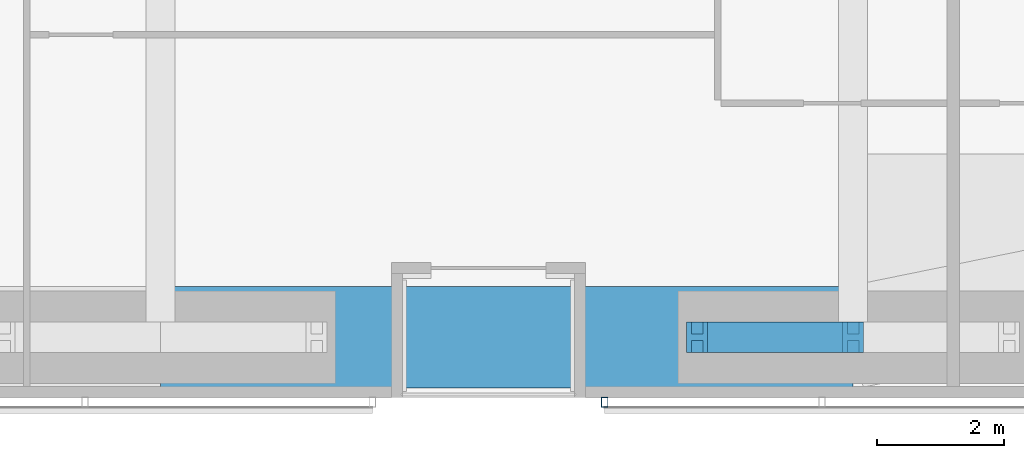
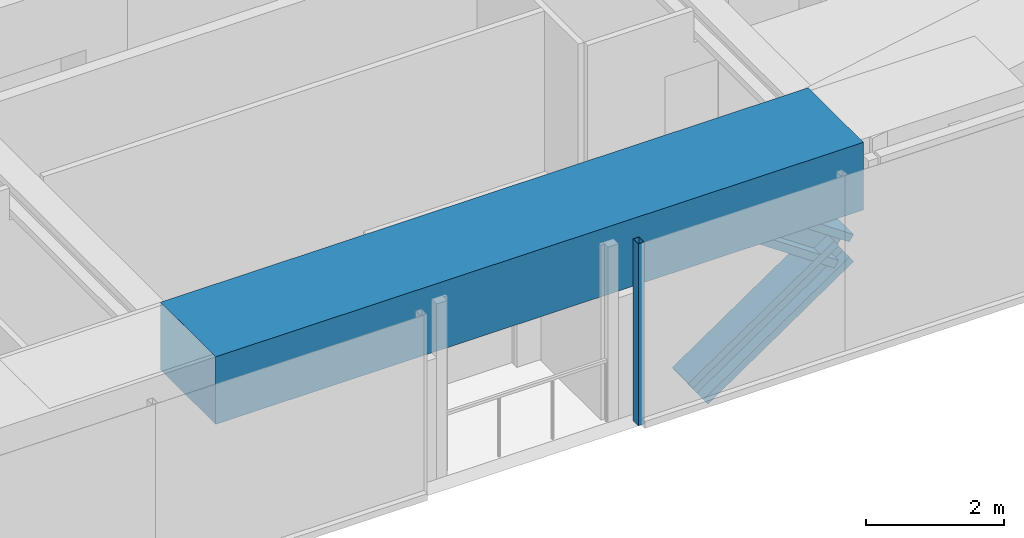
# One storey, part 5 of 24: 3 members, 1 beam, 1 element without a shape of its own.
"""IFC4 building model written with IfcOpenShell, lengths in metres."""

from ifc_helpers import new_model, si_unit, direction, frame, origin, origin_2d, place, context, subcontext, project, spatial, rectangle, hollow_rectangle, i_section, extrude, material, material_profile, profile_set, type_object, element, aggregate, save


model = new_model("IFC4")

# Units and contexts
model_context = context("Model", 3, precision=1e-05, world=origin(), true_north=direction((0.0, 1.0)))
body_context = subcontext(model_context, "Body", "Model", "MODEL_VIEW")
ifc_project = project(units=[si_unit("LENGTHUNIT", "METRE"), si_unit("AREAUNIT", "SQUARE_METRE"), si_unit("VOLUMEUNIT", "CUBIC_METRE"), si_unit("PLANEANGLEUNIT", "RADIAN"), si_unit("MASSUNIT", "GRAM", prefix="KILO")], contexts=[model_context])

# Site, building, storey
site_placement = place(None, origin())
site = spatial("IfcSite", under=ifc_project, at=site_placement, CompositionType="ELEMENT")
building_placement = place(site_placement, origin())
building = spatial("IfcBuilding", under=site, at=building_placement, Name="Jalousie Tower", CompositionType="ELEMENT")
storey_placement = place(building_placement, frame((0.0, 0.0, 131.64990234375)))
storey = spatial("IfcBuildingStorey", under=building, at=storey_placement, Name="L36", CompositionType="ELEMENT", Elevation=131.64990234375)

# Members
ifc_material_1 = material(Name="Steel ASTM A992 Grade 50", Category="steel")
ifc_material_profile_1 = material_profile(ifc_material_1, i_section(OverallWidth=0.472412109375, OverallDepth=0.5791015625, WebThickness=0.094970703125, FlangeThickness=0.1298828125, at=origin_2d()), Name="W14X808")
ifc_profile_set_1 = profile_set([ifc_material_profile_1], Name="Steel ASTM A992 Grade 50")
member_type_1 = type_object("IfcMemberType", Name="PERIMETER BRACE W14X808", PredefinedType="BRACE", material=ifc_profile_set_1)
for number, where, z_axis, x_axis, name in (
    (1, (36.175048828125, 0.949951171875, -0.599853515625), (0.825500916831, 0.0, 0.564400776321), (0.0, 1.0, 0.0), "Perimeter brace 04 L36 part 1"),
    (2, (38.625, 0.949951171875, 1.0751953125), (-0.825539243753, 0.0, 0.564344714713), (0.0, -1.0, 0.0), "Perimeter brace 04 L36 part 4"),
):
    element("IfcMember", number, at=place(storey_placement, frame(where, z_axis=z_axis, x_axis=x_axis)), inside=storey, type_object=member_type_1, Name=name, PredefinedType="BRACE", context=body_context, shape_type="SweptSolid", body=[
        extrude(i_section(OverallWidth=0.472412109375, OverallDepth=0.5791015625, WebThickness=0.094970703125, FlangeThickness=0.1298828125, at=origin_2d()), origin(), (0.0, 0.0, 1.0), 2.9677734375),
    ])

# Beam
ifc_material_2 = material(Name="Concrete f'c 40 MPa", Category="concrete")
ifc_material_profile_2 = material_profile(ifc_material_2, rectangle(XDim=1.60009765625, YDim=1.199951171875, at=origin_2d()), Name="RC 1600x1200")
ifc_profile_set_2 = profile_set([ifc_material_profile_2], Name="Concrete f'c 40 MPa")
beam_type = type_object("IfcBeamType", Name="RC BEAM 1600x1200", PredefinedType="BEAM", material=ifc_profile_set_2)
beam_placement = place(storey_placement, frame((27.75, 0.949951171875, 2.75), z_axis=(1.0, 0.0, 0.0), x_axis=(0.0, 1.0, 0.0)))
element("IfcBeam", 3, at=beam_placement, inside=storey, type_object=beam_type, Name="Edge band beam 03-04 under L37", PredefinedType="BEAM", context=body_context, shape_type="SweptSolid", body=[
    extrude(rectangle(XDim=1.60009765625, YDim=1.199951171875, at=origin_2d()), origin(), (0.0, 0.0, 1.0), 10.875),
])

# Curtain wall, member
ifc_material_3 = material(Name="Perforated aluminium sheet", Category="aluminium")
curtain_wall_type = type_object("IfcCurtainWallType", Name="SOLAR SCREEN SS-1", PredefinedType="USERDEFINED", material=ifc_material_3)
curtain_wall_placement = place(storey_placement, origin())
curtain_wall = element("IfcCurtainWall", 4, at=curtain_wall_placement, inside=storey, type_object=curtain_wall_type, Name="Solar screen L36", ObjectType="SOLAR SCREEN SS-1", PredefinedType="USERDEFINED")
ifc_material_4 = material(Name="Steel ASTM A500 Grade C", Category="steel")
ifc_material_profile_3 = material_profile(ifc_material_4, hollow_rectangle(XDim=0.1015625, YDim=0.15234375, WallThickness=0.00634765625, at=origin_2d()), Name="HSS6X4X1/4")
ifc_profile_set_3 = profile_set([ifc_material_profile_3], Name="Steel ASTM A500 Grade C")
member_type_2 = type_object("IfcMemberType", Name="SOLAR SCREEN SS-1 MULLION", PredefinedType="MULLION", material=ifc_profile_set_3)
member_placement = place(storey_placement, frame((34.72509765625, -0.0712890625, -0.119873046875), z_axis=(0.0, 0.0, 1.0), x_axis=(1.0, 0.0, 0.0)))
member = element("IfcMember", 5, at=member_placement, type_object=member_type_2, Name="SS1 post 1", PredefinedType="MULLION", context=body_context, shape_type="SweptSolid", body=[
    extrude(hollow_rectangle(XDim=0.1015625, YDim=0.15234375, WallThickness=0.00634765625, at=origin_2d()), origin(), (0.0, 0.0, 1.0), 3.22998046875),
])
aggregate(curtain_wall, [member])

save(model, "model.ifc")
